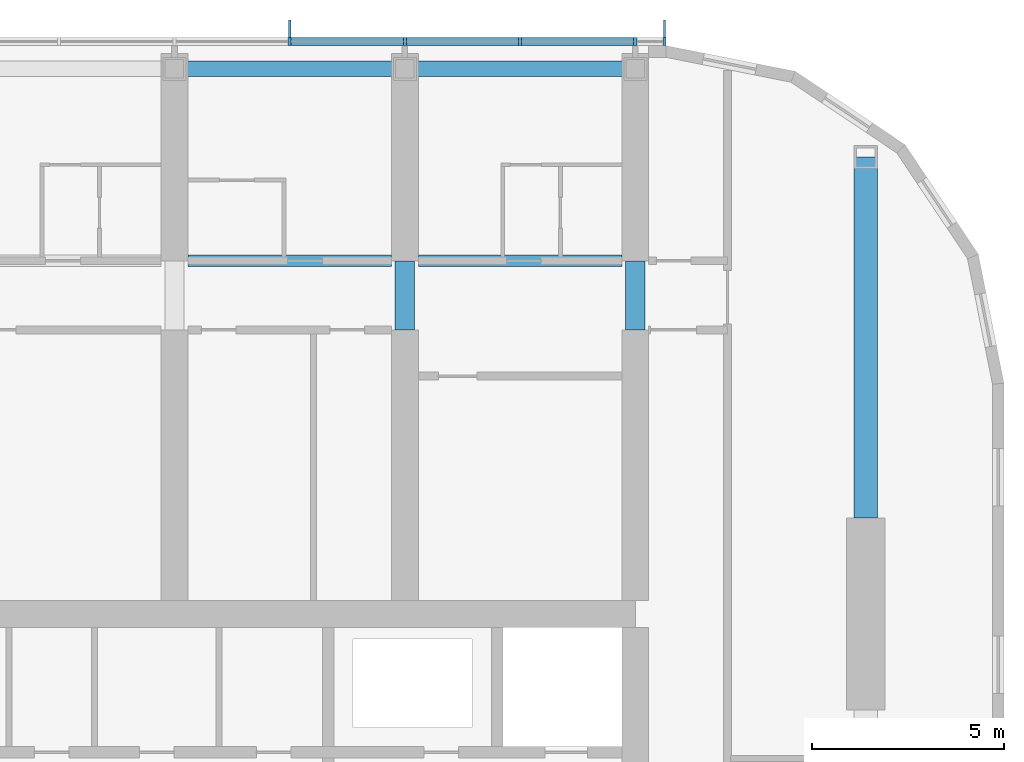
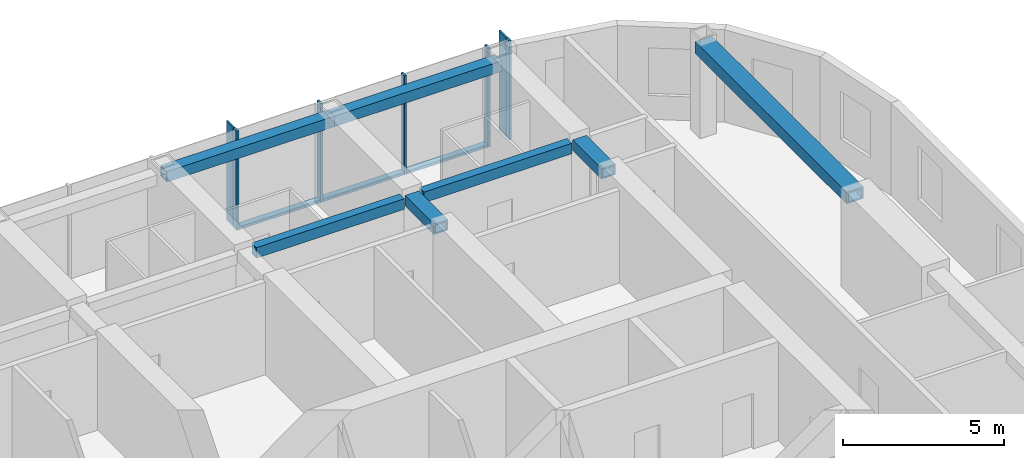
# One storey, part 5 of 23: 10 members, 7 beams, 1 element without a shape of its own.
"""IFC4 building model written with IfcOpenShell, lengths in metres."""

from ifc_helpers import new_model, si_unit, direction, frame, origin, origin_2d, place, context, subcontext, project, spatial, rectangle, hollow_rectangle, extrude, material, material_profile, profile_set, type_object, element, aggregate, save


model = new_model("IFC4")

# Units and contexts
model_context = context("Model", 3, precision=1e-05, world=origin(), true_north=direction((0.0, 1.0)))
body_context = subcontext(model_context, "Body", "Model", "MODEL_VIEW")
ifc_project = project(units=[si_unit("LENGTHUNIT", "METRE"), si_unit("AREAUNIT", "SQUARE_METRE"), si_unit("VOLUMEUNIT", "CUBIC_METRE"), si_unit("PLANEANGLEUNIT", "RADIAN"), si_unit("MASSUNIT", "GRAM", prefix="KILO")], contexts=[model_context])

# Site, building, storey
site_placement = place(None, origin())
site = spatial("IfcSite", under=ifc_project, at=site_placement, CompositionType="ELEMENT")
building_placement = place(site_placement, origin())
building = spatial("IfcBuilding", under=site, at=building_placement, Name="Orbita Commons", CompositionType="ELEMENT")
storey_placement = place(building_placement, frame((0.0, 0.0, 224.050048828125)))
storey = spatial("IfcBuildingStorey", under=building, at=storey_placement, Name="L55", CompositionType="ELEMENT", Elevation=224.050048828125)

# Curtain wall, members
ifc_material_1 = material(Name="Anodised aluminium frame, pale silver", Category="aluminium")
curtain_wall_type = type_object("IfcCurtainWallType", Name="Unitised curtain wall CW-U, full-height vision", PredefinedType="NOTDEFINED", material=ifc_material_1)
curtain_wall_placement = place(storey_placement, origin())
curtain_wall = element("IfcCurtainWall", 1, at=curtain_wall_placement, inside=storey, type_object=curtain_wall_type, Name="Curtain wall north L55", PredefinedType="NOTDEFINED")
ifc_material_2 = material(Name="Anodised aluminium, pale silver", Category="aluminium")
ifc_material_profile_1 = material_profile(ifc_material_2, rectangle(XDim=0.080078125, YDim=0.219970703125, at=origin_2d()), Name="AL 80x220")
ifc_profile_set_1 = profile_set([ifc_material_profile_1], Name="Anodised aluminium, pale silver")
member_type_1 = type_object("IfcMemberType", Name="Curtain wall mullion 80x220", PredefinedType="MULLION", material=ifc_profile_set_1)
member_1_placement = place(storey_placement, frame((66.760009765625, 53.110107421875, -0.25), z_axis=(0.0, 0.0, 1.0), x_axis=(-1.0, 0.0, 0.0)))
member_1 = element("IfcMember", 2, at=member_1_placement, type_object=member_type_1, Name="Mullion 1 CW-L55-N", PredefinedType="MULLION", context=body_context, shape_type="SweptSolid", body=[
    extrude(rectangle(XDim=0.080078125, YDim=0.219970703125, at=origin_2d()), origin(), (0.0, 0.0, 1.0), 3.75),
])
member_2_placement = place(storey_placement, frame((66.0, 53.110107421875, -0.25), z_axis=(0.0, 0.0, 1.0), x_axis=(-1.0, 0.0, 0.0)))
member_2 = element("IfcMember", 3, at=member_2_placement, type_object=member_type_1, Name="Mullion 2 CW-L55-N", PredefinedType="MULLION", context=body_context, shape_type="SweptSolid", body=[
    extrude(rectangle(XDim=0.080078125, YDim=0.219970703125, at=origin_2d()), origin(), (0.0, 0.0, 1.0), 3.75),
])
member_3_placement = place(storey_placement, frame((63.0, 53.110107421875, -0.25), z_axis=(0.0, 0.0, 1.0), x_axis=(-1.0, 0.0, 0.0)))
member_3 = element("IfcMember", 4, at=member_3_placement, type_object=member_type_1, Name="Mullion 3 CW-L55-N", PredefinedType="MULLION", context=body_context, shape_type="SweptSolid", body=[
    extrude(rectangle(XDim=0.080078125, YDim=0.219970703125, at=origin_2d()), origin(), (0.0, 0.0, 1.0), 3.75),
])
member_4_placement = place(storey_placement, frame((60.0, 53.110107421875, -0.25), z_axis=(0.0, 0.0, 1.0), x_axis=(-1.0, 0.0, 0.0)))
member_4 = element("IfcMember", 5, at=member_4_placement, type_object=member_type_1, Name="Mullion 4 CW-L55-N", PredefinedType="MULLION", context=body_context, shape_type="SweptSolid", body=[
    extrude(rectangle(XDim=0.080078125, YDim=0.219970703125, at=origin_2d()), origin(), (0.0, 0.0, 1.0), 3.75),
])
member_5_placement = place(storey_placement, frame((57.0, 53.110107421875, -0.25), z_axis=(0.0, 0.0, 1.0), x_axis=(-1.0, 0.0, 0.0)))
member_5 = element("IfcMember", 6, at=member_5_placement, type_object=member_type_1, Name="Mullion 5 CW-L55-N", PredefinedType="MULLION", context=body_context, shape_type="SweptSolid", body=[
    extrude(rectangle(XDim=0.080078125, YDim=0.219970703125, at=origin_2d()), origin(), (0.0, 0.0, 1.0), 3.75),
])
ifc_material_3 = material(Name="Anodised aluminium, pale silver", Category="aluminium")
ifc_material_profile_2 = material_profile(ifc_material_3, rectangle(XDim=0.219970703125, YDim=0.10009765625, at=origin_2d()), Name="AL 220x100")
ifc_profile_set_2 = profile_set([ifc_material_profile_2], Name="Anodised aluminium, pale silver")
member_type_2 = type_object("IfcMemberType", Name="Curtain wall stack transom 220x100", PredefinedType="USERDEFINED", material=ifc_profile_set_2)
member_6_placement = place(storey_placement, frame((65.9599609375, 53.110107421875, -0.199951171875), z_axis=(-1.0, 0.0, 0.0), x_axis=(0.0, -1.0, 0.0)))
member_6 = element("IfcMember", 7, at=member_6_placement, type_object=member_type_2, Name="Transom 2.1 CW-L55-N", ObjectType="TRANSOM", PredefinedType="USERDEFINED", context=body_context, shape_type="SweptSolid", body=[
    extrude(rectangle(XDim=0.219970703125, YDim=0.10009765625, at=origin_2d()), origin(), (0.0, 0.0, 1.0), 2.919921875),
])
member_7_placement = place(storey_placement, frame((62.9599609375, 53.110107421875, -0.199951171875), z_axis=(-1.0, 0.0, 0.0), x_axis=(0.0, -1.0, 0.0)))
member_7 = element("IfcMember", 8, at=member_7_placement, type_object=member_type_2, Name="Transom 3.1 CW-L55-N", ObjectType="TRANSOM", PredefinedType="USERDEFINED", context=body_context, shape_type="SweptSolid", body=[
    extrude(rectangle(XDim=0.219970703125, YDim=0.10009765625, at=origin_2d()), origin(), (0.0, 0.0, 1.0), 2.919921875),
])
member_8_placement = place(storey_placement, frame((59.9599609375, 53.110107421875, -0.199951171875), z_axis=(-1.0, 0.0, 0.0), x_axis=(0.0, -1.0, 0.0)))
member_8 = element("IfcMember", 9, at=member_8_placement, type_object=member_type_2, Name="Transom 4.1 CW-L55-N", ObjectType="TRANSOM", PredefinedType="USERDEFINED", context=body_context, shape_type="SweptSolid", body=[
    extrude(rectangle(XDim=0.219970703125, YDim=0.10009765625, at=origin_2d()), origin(), (0.0, 0.0, 1.0), 2.919921875),
])

# Beams
ifc_material_4 = material(Name="Steel ASTM A572 Gr 50 welded plate", Category="steel")
ifc_material_profile_3 = material_profile(ifc_material_4, hollow_rectangle(XDim=0.300048828125, YDim=0.39990234375, WallThickness=0.0400390625, at=origin_2d()), Name="BOX 400x300x40")
ifc_profile_set_3 = profile_set([ifc_material_profile_3], Name="Steel ASTM A572 Gr 50 welded plate")
beam_type_1 = type_object("IfcBeamType", Name="Steel corridor link BOX 400x300x40", PredefinedType="BEAM", material=ifc_profile_set_3)
for number, where, z_axis, x_axis, name in (
    (10, (54.35009765625, 47.39990234375, 3.300048828125), (1.0, 0.0, 0.0), (0.0, 1.0, 0.0), "Corridor beam NB 10-11 L55"),
    (11, (60.35009765625, 47.39990234375, 3.300048828125), (1.0, 0.0, 0.0), (0.0, 1.0, 0.0), "Corridor beam NB 11-12 L55"),
):
    element("IfcBeam", number, at=place(storey_placement, frame(where, z_axis=z_axis, x_axis=x_axis)), inside=storey, type_object=beam_type_1, Name=name, PredefinedType="BEAM", context=body_context, shape_type="SweptSolid", body=[
        extrude(hollow_rectangle(XDim=0.300048828125, YDim=0.39990234375, WallThickness=0.0400390625, at=origin_2d()), origin(), (0.0, 0.0, 1.0), 5.2998046875),
    ])
ifc_material_5 = material(Name="Steel ASTM A572 Gr 50 welded plate", Category="steel")
ifc_material_profile_4 = material_profile(ifc_material_5, hollow_rectangle(XDim=0.5, YDim=0.39990234375, WallThickness=0.050048828125, at=origin_2d()), Name="BOX 400x500x50")
ifc_profile_set_4 = profile_set([ifc_material_profile_4], Name="Steel ASTM A572 Gr 50 welded plate")
beam_type_2 = type_object("IfcBeamType", Name="Steel coupling link BOX 400x500x50", PredefinedType="LINTEL", material=ifc_profile_set_4)
for number, where, z_axis, x_axis, name in (
    (12, (60.0, 45.60009765625, 3.300048828125), (0.0, 1.0, 0.0), (-1.0, 0.0, 0.0), "Coupling beam 11 north L55"),
    (13, (66.0, 45.60009765625, 3.300048828125), (0.0, 1.0, 0.0), (-1.0, 0.0, 0.0), "Coupling beam 12 north L55"),
):
    element("IfcBeam", number, at=place(storey_placement, frame(where, z_axis=z_axis, x_axis=x_axis)), inside=storey, type_object=beam_type_2, Name=name, PredefinedType="LINTEL", context=body_context, shape_type="SweptSolid", body=[
        extrude(hollow_rectangle(XDim=0.5, YDim=0.39990234375, WallThickness=0.050048828125, at=origin_2d()), origin(), (0.0, 0.0, 1.0), 1.7998046875),
    ])
ifc_material_6 = material(Name="Steel ASTM A572 Gr 50 welded plate", Category="steel")
ifc_material_profile_5 = material_profile(ifc_material_6, hollow_rectangle(XDim=0.60009765625, YDim=0.449951171875, WallThickness=0.06005859375, at=origin_2d()), Name="BOX 450x600x60")
ifc_profile_set_5 = profile_set([ifc_material_profile_5], Name="Steel ASTM A572 Gr 50 welded plate")
beam_type_3 = type_object("IfcBeamType", Name="Steel end frame link BOX 450x600x60", PredefinedType="BEAM", material=ifc_profile_set_5)
beam_placement = place(storey_placement, frame((72.0, 40.699951171875, 3.27490234375), z_axis=(0.0, 1.0, 0.0), x_axis=(-1.0, 0.0, 0.0)))
element("IfcBeam", 14, at=beam_placement, inside=storey, type_object=beam_type_3, Name="End frame beam 13 D-E L55", PredefinedType="BEAM", context=body_context, shape_type="SweptSolid", body=[
    extrude(hollow_rectangle(XDim=0.60009765625, YDim=0.449951171875, WallThickness=0.06005859375, at=origin_2d()), origin(), (0.0, 0.0, 1.0), 9.400146484375),
])
ifc_material_7 = material(Name="Steel ASTM A572 Gr 50 welded plate", Category="steel")
ifc_material_profile_6 = material_profile(ifc_material_7, hollow_rectangle(XDim=0.39990234375, YDim=0.39990234375, WallThickness=0.0400390625, at=origin_2d()), Name="BOX 400x400x40")
ifc_profile_set_6 = profile_set([ifc_material_profile_6], Name="Steel ASTM A572 Gr 50 welded plate")
beam_type_4 = type_object("IfcBeamType", Name="Steel spandrel BOX 400x400x40", PredefinedType="SPANDREL", material=ifc_profile_set_6)
for number, where, z_axis, x_axis, name in (
    (15, (54.0, 52.39990234375, 3.300048828125), (1.0, 0.0, 0.0), (0.0, 1.0, 0.0), "Spandrel beam E 10-11 L55"),
    (16, (60.0, 52.39990234375, 3.300048828125), (1.0, 0.0, 0.0), (0.0, 1.0, 0.0), "Spandrel beam E 11-12 L55"),
):
    element("IfcBeam", number, at=place(storey_placement, frame(where, z_axis=z_axis, x_axis=x_axis)), inside=storey, type_object=beam_type_4, Name=name, PredefinedType="SPANDREL", context=body_context, shape_type="SweptSolid", body=[
        extrude(hollow_rectangle(XDim=0.39990234375, YDim=0.39990234375, WallThickness=0.0400390625, at=origin_2d()), origin(), (0.0, 0.0, 1.0), 6.0),
    ])

# Member
ifc_material_8 = material(Name="Anodised aluminium, pale silver", Category="aluminium")
ifc_material_profile_7 = material_profile(ifc_material_8, rectangle(XDim=0.06005859375, YDim=0.449951171875, at=origin_2d()), Name="FIN 60x450")
ifc_profile_set_7 = profile_set([ifc_material_profile_7], Name="Anodised aluminium, pale silver")
member_type_3 = type_object("IfcMemberType", Name="Vertical fin 60x450 pale aluminium", PredefinedType="USERDEFINED", material=ifc_profile_set_7)
member_9_placement = place(storey_placement, frame((66.760009765625, 53.445068359375, -0.25), z_axis=(0.0, 0.0, 1.0), x_axis=(-1.0, 0.0, 0.0)))
member_9 = element("IfcMember", 17, at=member_9_placement, type_object=member_type_3, Name="Fin 1 CW-L55-N", ObjectType="FIN", PredefinedType="USERDEFINED", context=body_context, shape_type="SweptSolid", body=[
    extrude(rectangle(XDim=0.06005859375, YDim=0.449951171875, at=origin_2d()), origin(), (0.0, 0.0, 1.0), 3.75),
])

member_10_placement = place(storey_placement, frame((57.0, 53.445068359375, -0.25), z_axis=(0.0, 0.0, 1.0), x_axis=(-1.0, 0.0, 0.0)))
member_10 = element("IfcMember", 18, at=member_10_placement, type_object=member_type_3, Name="Fin 5 CW-L55-N", ObjectType="FIN", PredefinedType="USERDEFINED", context=body_context, shape_type="SweptSolid", body=[
    extrude(rectangle(XDim=0.06005859375, YDim=0.449951171875, at=origin_2d()), origin(), (0.0, 0.0, 1.0), 3.75),
])

aggregate(curtain_wall, [member_1, member_9, member_2, member_3, member_4, member_5, member_10, member_6, member_7, member_8])

save(model, "model.ifc")
